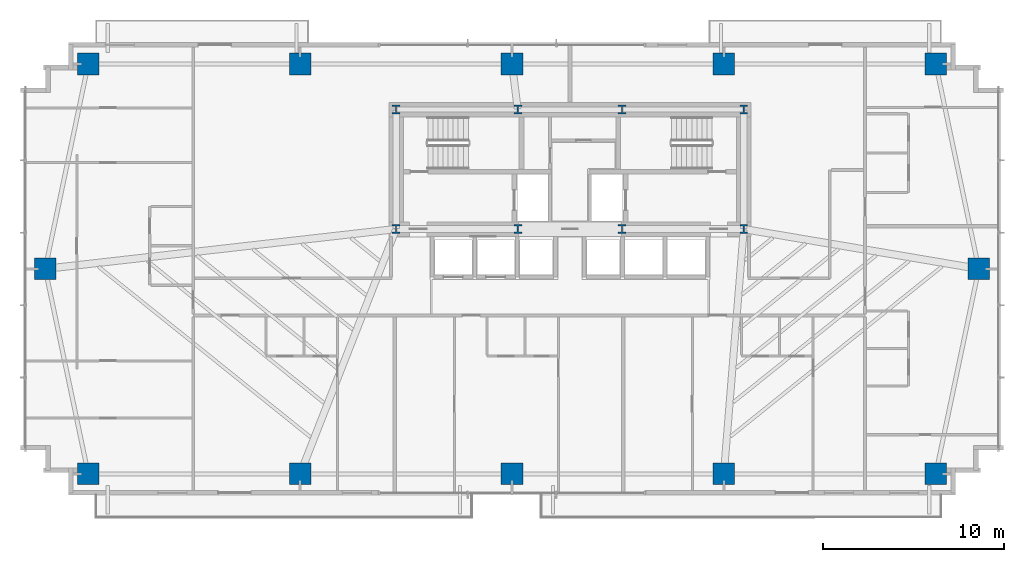
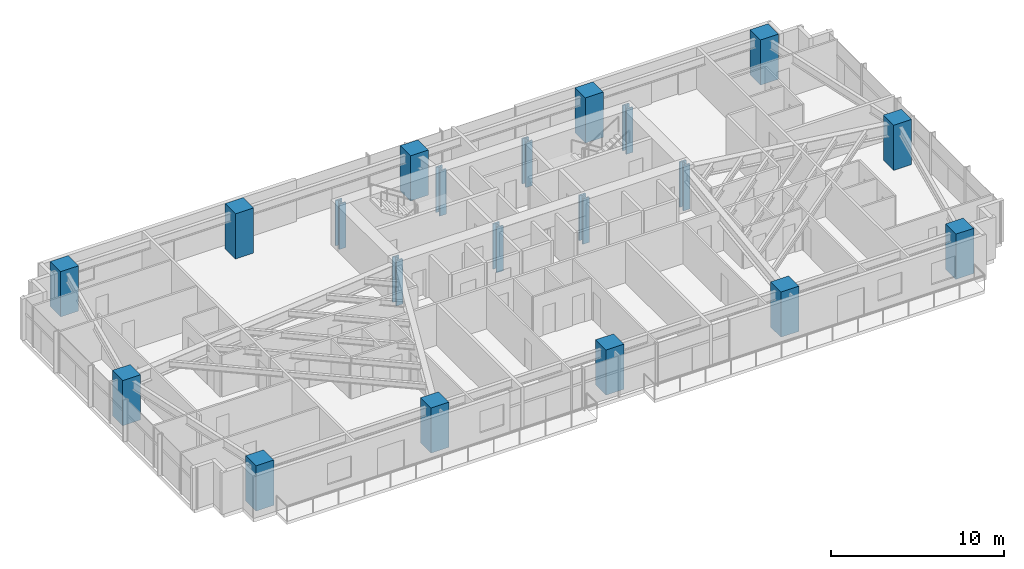
# One storey, part 1 of 25: 20 columns.
"""IFC4 building model written with IfcOpenShell, lengths in metres."""

from ifc_helpers import new_model, si_unit, direction, frame, origin, origin_2d, place, context, subcontext, project, spatial, rectangle, i_section, extrude, source, transform, mapped, material, material_profile, profile_set, type_object, type_shapes, element, save


model = new_model("IFC4")

# Units and contexts
model_context = context("Model", 3, precision=1e-05, world=origin(), true_north=direction((0.0, 1.0)))
body_context = subcontext(model_context, "Body", "Model", "MODEL_VIEW")
ifc_project = project(units=[si_unit("LENGTHUNIT", "METRE"), si_unit("AREAUNIT", "SQUARE_METRE"), si_unit("VOLUMEUNIT", "CUBIC_METRE"), si_unit("PLANEANGLEUNIT", "RADIAN"), si_unit("MASSUNIT", "GRAM", prefix="KILO")], contexts=[model_context])

# Site, building, storey
site_placement = place(None, origin())
site = spatial("IfcSite", under=ifc_project, at=site_placement, CompositionType="ELEMENT")
building_placement = place(site_placement, origin())
building = spatial("IfcBuilding", under=site, at=building_placement, Name="Astriad Promenade Condominiums", CompositionType="ELEMENT")
storey_placement = place(building_placement, frame((0.0, 0.0, 48.60009765625)))
storey = spatial("IfcBuildingStorey", under=building, at=storey_placement, Name="L13", CompositionType="ELEMENT", Elevation=48.60009765625)

# Columns
ifc_material_1 = material(Name="Steel ASTM A992 Grade 50", Category="steel")
ifc_material_profile_1 = material_profile(ifc_material_1, i_section(OverallWidth=0.43701171875, OverallDepth=0.51416015625, WebThickness=0.060546875, FlangeThickness=0.096923828125, FilletRadius=0.017822265625, at=origin_2d()), Name="W14X550")
ifc_profile_set_1 = profile_set([ifc_material_profile_1], Name="Steel ASTM A992 Grade 50")
column_type_1 = type_object("IfcColumnType", Name="STEEL CORE PILASTER W14X550", PredefinedType="PILASTER", material=ifc_profile_set_1)
shared_shape_1 = source(origin(), body_context, "Body", "SweptSolid", [
    extrude(i_section(OverallWidth=0.43701171875, OverallDepth=0.51416015625, WebThickness=0.060546875, FlangeThickness=0.096923828125, FilletRadius=0.017822265625, at=origin_2d()), origin(), (0.0, 0.0, 1.0), 3.196044921875),
])
type_shapes(column_type_1, [shared_shape_1])
for number, where, z_axis, x_axis, name in (
    (1, (26.39990234375, 17.39990234375, 0.001953125), (0.0, 0.0, 1.0), (1.0, 0.0, 0.0), "Core Pilaster Column CP1 (L13)"),
    (2, (33.1201171875, 17.39990234375, 0.001953125), (0.0, 0.0, 1.0), (1.0, 0.0, 0.0), "Core Pilaster Column CP2 (L13)"),
    (3, (38.8798828125, 17.39990234375, 0.001953125), (0.0, 0.0, 1.0), (1.0, 0.0, 0.0), "Core Pilaster Column CP3 (L13)"),
    (4, (45.60009765625, 17.39990234375, 0.001953125), (0.0, 0.0, 1.0), (1.0, 0.0, 0.0), "Core Pilaster Column CP4 (L13)"),
    (5, (26.39990234375, 24.0, 0.001953125), (0.0, 0.0, 1.0), (1.0, 0.0, 0.0), "Core Pilaster Column CP5 (L13)"),
    (6, (33.1201171875, 24.0, 0.001953125), (0.0, 0.0, 1.0), (1.0, 0.0, 0.0), "Core Pilaster Column CP6 (L13)"),
    (7, (38.8798828125, 24.0, 0.001953125), (0.0, 0.0, 1.0), (1.0, 0.0, 0.0), "Core Pilaster Column CP7 (L13)"),
    (8, (45.60009765625, 24.0, 0.001953125), (0.0, 0.0, 1.0), (1.0, 0.0, 0.0), "Core Pilaster Column CP8 (L13)"),
):
    element("IfcColumn", number, at=place(storey_placement, frame(where, z_axis=z_axis, x_axis=x_axis)), inside=storey, type_object=column_type_1, Name=name, PredefinedType="PILASTER", context=body_context, shape_type="MappedRepresentation", body=[
        mapped(shared_shape_1, transform((0.0, 0.0, 0.0), scale=1.0)),
    ])
ifc_material_2 = material(Name="Concrete C80/95", Category="concrete")
ifc_material_profile_2 = material_profile(ifc_material_2, rectangle(XDim=1.199951171875, YDim=1.199951171875, at=origin_2d()), Name="RC-COL-1200X1200")
ifc_profile_set_2 = profile_set([ifc_material_profile_2], Name="Concrete C80/95")
column_type_2 = type_object("IfcColumnType", Name="CONCRETE MEGA COLUMN 1200X1200", PredefinedType="COLUMN", material=ifc_profile_set_2)
shared_shape_2 = source(origin(), body_context, "Body", "SweptSolid", [
    extrude(rectangle(XDim=1.199951171875, YDim=1.199951171875, at=origin_2d()), origin(), (0.0, 0.0, 1.0), 3.196044921875),
])
type_shapes(column_type_2, [shared_shape_2])
for number, where, z_axis, x_axis, name in (
    (9, (9.39990234375, 3.8798828125, 0.001953125), (0.0, 0.0, 1.0), (1.0, 0.0, 0.0), "Perimeter Column PC01 (L13)"),
    (10, (21.10009765625, 3.8798828125, 0.001953125), (0.0, 0.0, 1.0), (1.0, 0.0, 0.0), "Perimeter Column PC02 (L13)"),
    (11, (32.800048828125, 3.8798828125, 0.001953125), (0.0, 0.0, 1.0), (1.0, 0.0, 0.0), "Perimeter Column PC03 (L13)"),
    (12, (44.5, 3.8798828125, 0.001953125), (0.0, 0.0, 1.0), (1.0, 0.0, 0.0), "Perimeter Column PC04 (L13)"),
    (13, (56.199951171875, 3.8798828125, 0.001953125), (0.0, 0.0, 1.0), (1.0, 0.0, 0.0), "Perimeter Column PC05 (L13)"),
    (14, (9.39990234375, 26.52001953125, 0.001953125), (0.0, 0.0, 1.0), (1.0, 0.0, 0.0), "Perimeter Column PC06 (L13)"),
    (15, (21.10009765625, 26.52001953125, 0.001953125), (0.0, 0.0, 1.0), (1.0, 0.0, 0.0), "Perimeter Column PC07 (L13)"),
    (16, (32.800048828125, 26.52001953125, 0.001953125), (0.0, 0.0, 1.0), (1.0, 0.0, 0.0), "Perimeter Column PC08 (L13)"),
    (17, (44.5, 26.52001953125, 0.001953125), (0.0, 0.0, 1.0), (1.0, 0.0, 0.0), "Perimeter Column PC09 (L13)"),
    (18, (56.199951171875, 26.52001953125, 0.001953125), (0.0, 0.0, 1.0), (1.0, 0.0, 0.0), "Perimeter Column PC10 (L13)"),
    (19, (7.02001953125, 15.199951171875, 0.001953125), (0.0, 0.0, 1.0), (1.0, 0.0, 0.0), "Perimeter Column PC11 (L13)"),
    (20, (58.580078125, 15.199951171875, 0.001953125), (0.0, 0.0, 1.0), (1.0, 0.0, 0.0), "Perimeter Column PC12 (L13)"),
):
    element("IfcColumn", number, at=place(storey_placement, frame(where, z_axis=z_axis, x_axis=x_axis)), inside=storey, type_object=column_type_2, Name=name, PredefinedType="COLUMN", context=body_context, shape_type="MappedRepresentation", body=[
        mapped(shared_shape_2, transform((0.0, 0.0, 0.0), scale=1.0)),
    ])

save(model, "model.ifc")
